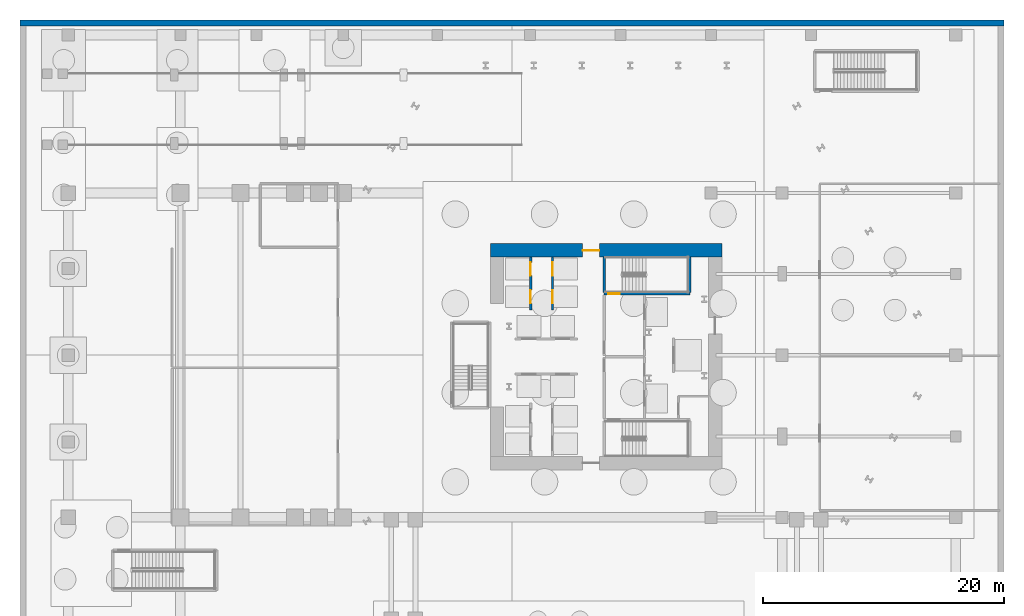
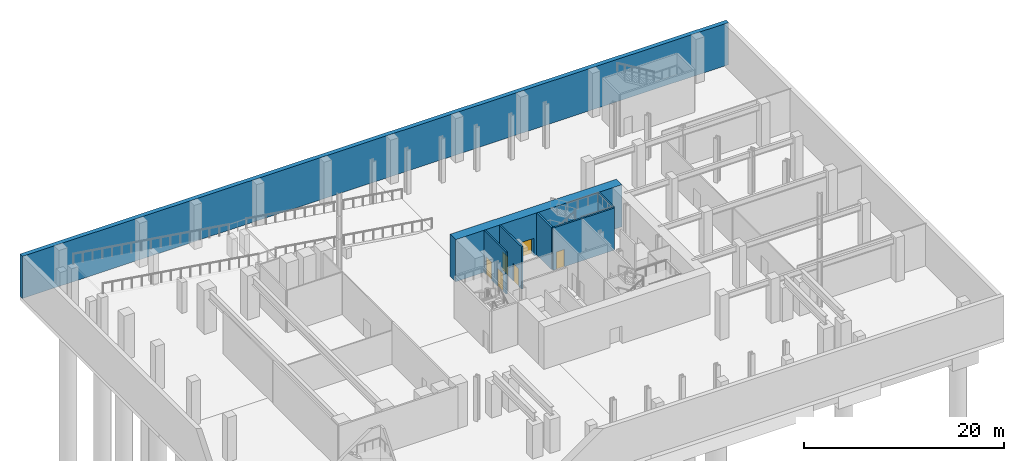
# One storey, part 7 of 16: 7 walls, 6 doors, 6 openings.
"""IFC4 building model written with IfcOpenShell, lengths in metres."""

from ifc_helpers import new_model, si_unit, direction, frame, frame_2d, origin, place, context, subcontext, project, spatial, rectangle, extrude, material, layer, layer_set, type_object, element, fill, save


model = new_model("IFC4")

# Units and contexts
model_context = context("Model", 3, precision=1e-05, world=origin(), true_north=direction((0.0, 1.0)))
body_context = subcontext(model_context, "Body", "Model", "MODEL_VIEW")
ifc_project = project(units=[si_unit("LENGTHUNIT", "METRE"), si_unit("AREAUNIT", "SQUARE_METRE"), si_unit("VOLUMEUNIT", "CUBIC_METRE"), si_unit("PLANEANGLEUNIT", "RADIAN"), si_unit("MASSUNIT", "GRAM", prefix="KILO")], contexts=[model_context])

# Site, building, storey
site_placement = place(None, origin())
site = spatial("IfcSite", under=ifc_project, at=site_placement, CompositionType="ELEMENT")
building_placement = place(site_placement, origin())
building = spatial("IfcBuilding", under=site, at=building_placement, Name="Valkerne Bourse Tower", CompositionType="ELEMENT")
storey_placement = place(building_placement, frame((0.0, 0.0, -5.39990234375)))
storey = spatial("IfcBuildingStorey", under=building, at=storey_placement, Name="B1", CompositionType="ELEMENT", Elevation=-5.39990234375)

# Wall, opening, door
ifc_material_1 = material(Name="Concrete C70/85", Category="concrete")
ifc_layer_1 = layer(ifc_material_1, 1.10009765625)
ifc_layer_set_1 = layer_set([ifc_layer_1], Name="Concrete C70/85")
wall_type_1 = type_object("IfcWallType", Name="W-CORE-1100", PredefinedType="SHEAR", material=ifc_layer_set_1)
wall_1_placement = place(storey_placement, frame((37.199951171875, 35.699951171875, 0.0), z_axis=(0.0, 0.0, 1.0), x_axis=(1.0, 0.0, 0.0)))
wall_1 = element("IfcWall", 1, at=wall_1_placement, inside=storey, type_object=wall_type_1, Name="B1 Core Shear Wall NORTH", PredefinedType="SHEAR", context=body_context, shape_type="SweptSolid", body=[
    extrude(rectangle(XDim=19.199951171875, YDim=1.10009765625, at=frame_2d((9.60009765625, 0.0))), origin(), (0.0, 0.0, 1.0), 5.159912109375),
])
opening_1_placement = place(wall_1_placement, frame((7.64990234375, 0.0, 0.0)))
opening_1 = element("IfcOpeningElement", 2, at=opening_1_placement, cuts=wall_1, Name="Opening D-PL-1400", PredefinedType="OPENING", context=body_context, shape_type="SweptSolid", body=[
    extrude(rectangle(XDim=1.39990234375, YDim=2.14990234375, at=frame_2d((0.699951171875, 1.074951171875))), frame((0.0, 0.56005859375, 0.0), z_axis=(0.0, -1.0, 0.0), x_axis=(1.0, 0.0, 0.0)), (0.0, 0.0, 1.0), 1.1201171875),
])
ifc_material_2 = material(Name="Galvanised Painted Steel", Category="steel")
door_type_1 = type_object("IfcDoorType", Name="DR-PLT-1400", OperationType="DOUBLE_DOOR_SINGLE_SWING", PredefinedType="DOOR", material=ifc_material_2)
door_1_placement = place(opening_1_placement, origin())
door_1 = element("IfcDoor", 3, at=door_1_placement, inside=storey, type_object=door_type_1, Name="B1 North Passenger Lift Hall Fire Door", OperationType="DOUBLE_DOOR_SINGLE_SWING", OverallHeight=2.14990234375, OverallWidth=1.39990234375, PredefinedType="DOOR", context=body_context, shape_type="SweptSolid", body=[
    extrude(rectangle(XDim=1.39990234375, YDim=2.14990234375, at=frame_2d((0.699951171875, 1.074951171875))), frame((0.0, 0.02490234375, 0.0), z_axis=(0.0, -1.0, 0.0), x_axis=(1.0, 0.0, 0.0)), (0.0, 0.0, 1.0), 0.050048828125),
])
fill(opening_1, door_1)

# Wall, openings, doors
ifc_material_3 = material(Name="CMU Blockwork Masonry 200mm", Category="masonry")
ifc_layer_2 = layer(ifc_material_3, 0.179931640625)
ifc_layer_set_2 = layer_set([ifc_layer_2], Name="CMU Blockwork Masonry 200mm")
wall_type_2 = type_object("IfcWallType", Name="W-LFT-180", PredefinedType="SOLIDWALL", material=ifc_layer_set_2)
wall_2_placement = place(storey_placement, frame((40.550048828125, 30.75, 0.0), z_axis=(0.0, 0.0, 1.0), x_axis=(0.0, 1.0, 0.0)))
wall_2 = element("IfcWall", 4, at=wall_2_placement, inside=storey, type_object=wall_type_2, Name="B1 Mid-Zone West Cars Front Wall", PredefinedType="SOLIDWALL", context=body_context, shape_type="SweptSolid", body=[
    extrude(rectangle(XDim=4.39990234375, YDim=0.179931640625, at=frame_2d((2.199951171875, 0.0))), origin(), (0.0, 0.0, 1.0), 5.159912109375),
])
opening_2_placement = place(wall_2_placement, frame((0.550048828125, 0.0, 0.0)))
opening_2 = element("IfcOpeningElement", 5, at=opening_2_placement, cuts=wall_2, Name="Opening LD-1100", PredefinedType="OPENING", context=body_context, shape_type="SweptSolid", body=[
    extrude(rectangle(XDim=1.10009765625, YDim=2.14990234375, at=frame_2d((0.550048828125, 1.074951171875))), frame((0.0, 0.099853515625, 0.0), z_axis=(0.0, -1.0, 0.0), x_axis=(1.0, 0.0, 0.0)), (0.0, 0.0, 1.0), 0.199951171875),
])
opening_3_placement = place(wall_2_placement, frame((2.85009765625, 0.0, 0.0)))
opening_3 = element("IfcOpeningElement", 6, at=opening_3_placement, cuts=wall_2, Name="Opening LD-1100", PredefinedType="OPENING", context=body_context, shape_type="SweptSolid", body=[
    extrude(rectangle(XDim=1.10009765625, YDim=2.14990234375, at=frame_2d((0.550048828125, 1.074951171875))), frame((0.0, 0.099853515625, 0.0), z_axis=(0.0, -1.0, 0.0), x_axis=(1.0, 0.0, 0.0)), (0.0, 0.0, 1.0), 0.199951171875),
])
ifc_material_4 = material(Name="Stainless Steel AISI 316", Category="steel")
door_type_2 = type_object("IfcDoorType", Name="DR-LIFT-1100", OperationType="DOUBLE_DOOR_SLIDING", PredefinedType="DOOR", material=ifc_material_4)
door_2_placement = place(opening_2_placement, origin())
door_2 = element("IfcDoor", 7, at=door_2_placement, inside=storey, type_object=door_type_2, Name="B1 Passenger Lift PL-M1 Sliding Landing Door", OperationType="DOUBLE_DOOR_SLIDING", OverallHeight=2.14990234375, OverallWidth=1.10009765625, PredefinedType="DOOR", context=body_context, shape_type="SweptSolid", body=[
    extrude(rectangle(XDim=1.10009765625, YDim=2.14990234375, at=frame_2d((0.550048828125, 1.074951171875))), frame((0.0, 0.02490234375, 0.0), z_axis=(0.0, -1.0, 0.0), x_axis=(1.0, 0.0, 0.0)), (0.0, 0.0, 1.0), 0.050048828125),
])
fill(opening_2, door_2)
door_3_placement = place(opening_3_placement, origin())
door_3 = element("IfcDoor", 8, at=door_3_placement, inside=storey, type_object=door_type_2, Name="B1 Passenger Lift PL-M2 Sliding Landing Door", OperationType="DOUBLE_DOOR_SLIDING", OverallHeight=2.14990234375, OverallWidth=1.10009765625, PredefinedType="DOOR", context=body_context, shape_type="SweptSolid", body=[
    extrude(rectangle(XDim=1.10009765625, YDim=2.14990234375, at=frame_2d((0.550048828125, 1.074951171875))), frame((0.0, 0.02490234375, 0.0), z_axis=(0.0, -1.0, 0.0), x_axis=(1.0, 0.0, 0.0)), (0.0, 0.0, 1.0), 0.050048828125),
])
fill(opening_3, door_3)

wall_3_placement = place(storey_placement, frame((42.35009765625, 30.75, 0.0), z_axis=(0.0, 0.0, 1.0), x_axis=(0.0, 1.0, 0.0)))
wall_3 = element("IfcWall", 9, at=wall_3_placement, inside=storey, type_object=wall_type_2, Name="B1 Mid-Zone East Cars Front Wall", PredefinedType="SOLIDWALL", context=body_context, shape_type="SweptSolid", body=[
    extrude(rectangle(XDim=4.39990234375, YDim=0.179931640625, at=frame_2d((2.199951171875, 0.0))), origin(), (0.0, 0.0, 1.0), 5.159912109375),
])
opening_4_placement = place(wall_3_placement, frame((0.550048828125, 0.0, 0.0)))
opening_4 = element("IfcOpeningElement", 10, at=opening_4_placement, cuts=wall_3, Name="Opening LD-1100", PredefinedType="OPENING", context=body_context, shape_type="SweptSolid", body=[
    extrude(rectangle(XDim=1.10009765625, YDim=2.14990234375, at=frame_2d((0.550048828125, 1.074951171875))), frame((0.0, 0.099853515625, 0.0), z_axis=(0.0, -1.0, 0.0), x_axis=(1.0, 0.0, 0.0)), (0.0, 0.0, 1.0), 0.199951171875),
])
opening_5_placement = place(wall_3_placement, frame((2.85009765625, 0.0, 0.0)))
opening_5 = element("IfcOpeningElement", 11, at=opening_5_placement, cuts=wall_3, Name="Opening LD-1100", PredefinedType="OPENING", context=body_context, shape_type="SweptSolid", body=[
    extrude(rectangle(XDim=1.10009765625, YDim=2.14990234375, at=frame_2d((0.550048828125, 1.074951171875))), frame((0.0, 0.099853515625, 0.0), z_axis=(0.0, -1.0, 0.0), x_axis=(1.0, 0.0, 0.0)), (0.0, 0.0, 1.0), 0.199951171875),
])
door_4_placement = place(opening_4_placement, origin())
door_4 = element("IfcDoor", 12, at=door_4_placement, inside=storey, type_object=door_type_2, Name="B1 Passenger Lift PL-M3 Sliding Landing Door", OperationType="DOUBLE_DOOR_SLIDING", OverallHeight=2.14990234375, OverallWidth=1.10009765625, PredefinedType="DOOR", context=body_context, shape_type="SweptSolid", body=[
    extrude(rectangle(XDim=1.10009765625, YDim=2.14990234375, at=frame_2d((0.550048828125, 1.074951171875))), frame((0.0, 0.02490234375, 0.0), z_axis=(0.0, -1.0, 0.0), x_axis=(1.0, 0.0, 0.0)), (0.0, 0.0, 1.0), 0.050048828125),
])
fill(opening_4, door_4)
door_5_placement = place(opening_5_placement, origin())
door_5 = element("IfcDoor", 13, at=door_5_placement, inside=storey, type_object=door_type_2, Name="B1 Passenger Lift PL-M4 Sliding Landing Door", OperationType="DOUBLE_DOOR_SLIDING", OverallHeight=2.14990234375, OverallWidth=1.10009765625, PredefinedType="DOOR", context=body_context, shape_type="SweptSolid", body=[
    extrude(rectangle(XDim=1.10009765625, YDim=2.14990234375, at=frame_2d((0.550048828125, 1.074951171875))), frame((0.0, 0.02490234375, 0.0), z_axis=(0.0, -1.0, 0.0), x_axis=(1.0, 0.0, 0.0)), (0.0, 0.0, 1.0), 0.050048828125),
])
fill(opening_5, door_5)

# Wall
ifc_material_5 = material(Name="Concrete C55/67", Category="concrete")
ifc_layer_3 = layer(ifc_material_5, 0.5)
ifc_layer_set_3 = layer_set([ifc_layer_3], Name="Concrete C55/67")
wall_type_3 = type_object("IfcWallType", Name="W-RET-500", PredefinedType="SHEAR", material=ifc_layer_set_3)
wall_4_placement = place(storey_placement, frame((-1.800048828125, 54.550048828125, 0.0), z_axis=(0.0, 0.0, 1.0), x_axis=(1.0, 0.0, 0.0)))
element("IfcWall", 14, at=wall_4_placement, inside=storey, type_object=wall_type_3, Name="B1 Perimeter Retaining Wall N", PredefinedType="SHEAR", context=body_context, shape_type="SweptSolid", body=[
    extrude(rectangle(XDim=81.60009765625, YDim=0.5, at=frame_2d((40.800048828125, 0.0))), origin(), (0.0, 0.0, 1.0), 5.159912109375),
])

# Wall, opening, door
ifc_material_6 = material(Name="Concrete C40/50", Category="concrete")
ifc_layer_4 = layer(ifc_material_6, 0.199951171875)
ifc_layer_set_4 = layer_set([ifc_layer_4], Name="Concrete C40/50")
wall_type_4 = type_object("IfcWallType", Name="W-SHF-200", PredefinedType="SHEAR", material=ifc_layer_set_4)
wall_5_placement = place(storey_placement, frame((46.64990234375, 32.10009765625, 0.0), z_axis=(0.0, 0.0, 1.0), x_axis=(1.0, 0.0, 0.0)))
wall_5 = element("IfcWall", 15, at=wall_5_placement, inside=storey, type_object=wall_type_4, Name="B1 Exit Stair ST-2 Structural Shaft Wall South", PredefinedType="SHEAR", context=body_context, shape_type="SweptSolid", body=[
    extrude(rectangle(XDim=7.10009765625, YDim=0.199951171875, at=frame_2d((3.550048828125, 0.0))), origin(), (0.0, 0.0, 1.0), 5.159912109375),
])
opening_6_placement = place(wall_5_placement, frame((0.35009765625, 0.0, 0.0)))
opening_6 = element("IfcOpeningElement", 16, at=opening_6_placement, cuts=wall_5, Name="Opening D-ST-950", PredefinedType="OPENING", context=body_context, shape_type="SweptSolid", body=[
    extrude(rectangle(XDim=0.949951171875, YDim=2.10009765625, at=frame_2d((0.47509765625, 1.050048828125))), frame((0.0, 0.10986328125, 0.0), z_axis=(0.0, -1.0, 0.0), x_axis=(1.0, 0.0, 0.0)), (0.0, 0.0, 1.0), 0.219970703125),
])
door_type_3 = type_object("IfcDoorType", Name="DR-STAIR-950", OperationType="NOTDEFINED", PredefinedType="DOOR", material=ifc_material_2)
door_6_placement = place(opening_6_placement, origin())
door_6 = element("IfcDoor", 17, at=door_6_placement, inside=storey, type_object=door_type_3, Name="B1 Exit Stair ST-2 Door", OperationType="SINGLE_SWING_LEFT", OverallHeight=2.10009765625, OverallWidth=0.949951171875, PredefinedType="DOOR", context=body_context, shape_type="SweptSolid", body=[
    extrude(rectangle(XDim=0.949951171875, YDim=2.10009765625, at=frame_2d((0.47509765625, 1.050048828125))), frame((0.0, 0.02490234375, 0.0), z_axis=(0.0, -1.0, 0.0), x_axis=(1.0, 0.0, 0.0)), (0.0, 0.0, 1.0), 0.050048828125),
])
fill(opening_6, door_6)

# Walls
for number, where, z_axis, x_axis, name in (
    (18, (46.64990234375, 32.199951171875, 0.0), (0.0, 0.0, 1.0), (0.0, 1.0, 0.0), "B1 Exit Stair ST-2 Structural Shaft Wall West"),
    (19, (53.75, 32.199951171875, 0.0), (0.0, 0.0, 1.0), (0.0, 1.0, 0.0), "B1 Exit Stair ST-2 Structural Shaft Wall East"),
):
    element("IfcWall", number, at=place(storey_placement, frame(where, z_axis=z_axis, x_axis=x_axis)), inside=storey, type_object=wall_type_4, Name=name, PredefinedType="SHEAR", context=body_context, shape_type="SweptSolid", body=[
        extrude(rectangle(XDim=2.949951171875, YDim=0.199951171875, at=frame_2d((1.47509765625, 0.0))), origin(), (0.0, 0.0, 1.0), 5.159912109375),
    ])

save(model, "model.ifc")
